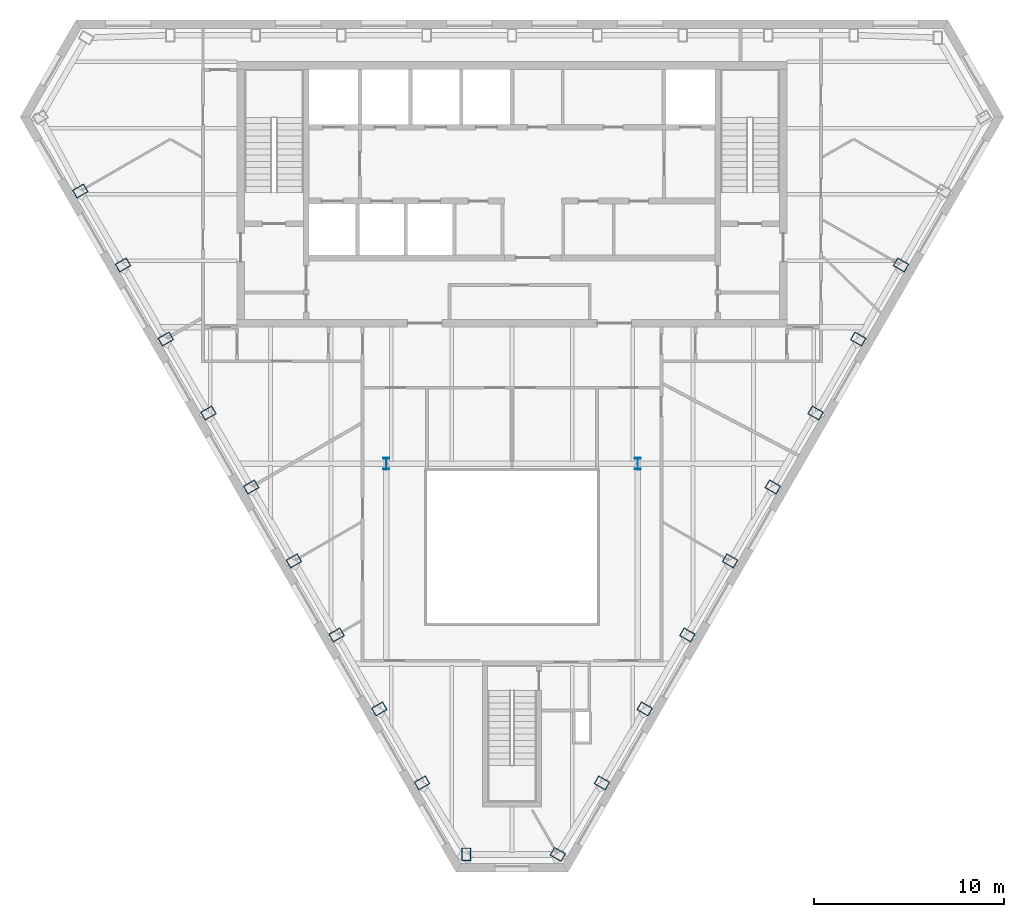
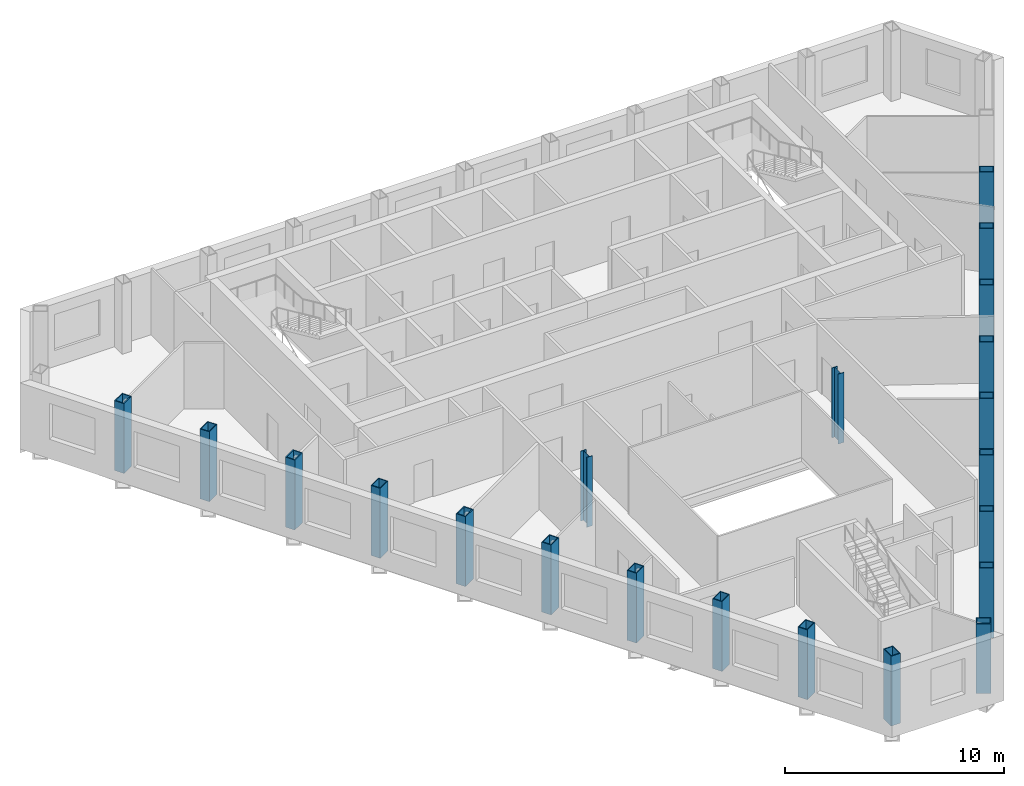
# One storey, part 1 of 10: 21 columns.
"""IFC4 building model written with IfcOpenShell, lengths in metres."""

from ifc_helpers import new_model, si_unit, direction, frame, origin, origin_2d, place, context, subcontext, project, spatial, hollow_rectangle, i_section, extrude, material, material_profile, profile_set, type_object, element, save


model = new_model("IFC4")

# Units and contexts
model_context = context("Model", 3, precision=1e-05, world=origin(), true_north=direction((0.0, 1.0)))
body_context = subcontext(model_context, "Body", "Model", "MODEL_VIEW")
ifc_project = project(units=[si_unit("LENGTHUNIT", "METRE"), si_unit("AREAUNIT", "SQUARE_METRE"), si_unit("VOLUMEUNIT", "CUBIC_METRE"), si_unit("PLANEANGLEUNIT", "RADIAN"), si_unit("MASSUNIT", "GRAM", prefix="KILO")], contexts=[model_context])

# Site, building, storey
site_placement = place(None, origin())
site = spatial("IfcSite", under=ifc_project, at=site_placement, CompositionType="ELEMENT")
building_placement = place(site_placement, origin())
building = spatial("IfcBuilding", under=site, at=building_placement, Name="Njiva Tower", CompositionType="ELEMENT")
storey_placement = place(building_placement, frame((0.0, 0.0, 257.1)))
storey = spatial("IfcBuildingStorey", under=building, at=storey_placement, Name="L58", CompositionType="ELEMENT", Elevation=257.1)

# Columns
ifc_material = material(Name="Steel S355 J2", Category="steel")
ifc_material_profile_1 = material_profile(ifc_material, hollow_rectangle(XDim=0.5, YDim=0.7, WallThickness=0.045, at=origin_2d()), Name="BOX 700x500x45")
ifc_profile_set_1 = profile_set([ifc_material_profile_1], Name="Steel S355 J2")
column_type_1 = type_object("IfcColumnType", Name="C13 Perimeter tube column BOX 700x500x45", PredefinedType="COLUMN", material=ifc_profile_set_1)
for number, where, z_axis, x_axis, name in (
    (1, (-22.773, 11.179, 0.0), (0.0, 0.0, 1.0), (0.5, -0.866025403784, 0.0), "Perimeter tube column S19-C13"),
    (2, (-20.52, 7.276, 0.0), (0.0, 0.0, 1.0), (0.5, -0.866025403784, 0.0), "Perimeter tube column S19-C14"),
    (3, (-18.266, 3.373, 0.0), (0.0, 0.0, 1.0), (0.5, -0.866025403784, 0.0), "Perimeter tube column S19-C15"),
    (4, (-16.013, -0.53, 0.0), (0.0, 0.0, 1.0), (0.5, -0.866025403784, 0.0), "Perimeter tube column S19-C16"),
    (5, (-13.76, -4.432, 0.0), (0.0, 0.0, 1.0), (0.5, -0.866025403784, 0.0), "Perimeter tube column S19-C17"),
    (6, (-11.506, -8.335, 0.0), (0.0, 0.0, 1.0), (0.5, -0.866025403784, 0.0), "Perimeter tube column S19-C18"),
    (7, (-9.253, -12.238, 0.0), (0.0, 0.0, 1.0), (0.5, -0.866025403784, 0.0), "Perimeter tube column S19-C19"),
    (8, (-7.0, -16.141, 0.0), (0.0, 0.0, 1.0), (0.5, -0.866025403784, 0.0), "Perimeter tube column S19-C20"),
    (9, (-4.746, -20.044, 0.0), (0.0, 0.0, 1.0), (0.5, -0.866025403784, 0.0), "Perimeter tube column S19-C21"),
    (10, (-2.416, -23.814, 0.0), (0.0, 0.0, 1.0), (1.0, 0.0, 0.0), "Perimeter tube column S19-C22"),
    (11, (2.416, -23.814, 0.0), (0.0, 0.0, 1.0), (0.5, 0.866025403784, 0.0), "Perimeter tube column S19-C23"),
    (12, (4.746, -20.044, 0.0), (0.0, 0.0, 1.0), (0.5, 0.866025403784, 0.0), "Perimeter tube column S19-C24"),
    (13, (7.0, -16.141, 0.0), (0.0, 0.0, 1.0), (0.5, 0.866025403784, 0.0), "Perimeter tube column S19-C25"),
    (14, (9.253, -12.238, 0.0), (0.0, 0.0, 1.0), (0.5, 0.866025403784, 0.0), "Perimeter tube column S19-C26"),
    (15, (11.506, -8.335, 0.0), (0.0, 0.0, 1.0), (0.5, 0.866025403784, 0.0), "Perimeter tube column S19-C27"),
    (16, (13.76, -4.432, 0.0), (0.0, 0.0, 1.0), (0.5, 0.866025403784, 0.0), "Perimeter tube column S19-C28"),
    (17, (16.013, -0.53, 0.0), (0.0, 0.0, 1.0), (0.5, 0.866025403784, 0.0), "Perimeter tube column S19-C29"),
    (18, (18.266, 3.373, 0.0), (0.0, 0.0, 1.0), (0.5, 0.866025403784, 0.0), "Perimeter tube column S19-C30"),
    (19, (20.52, 7.276, 0.0), (0.0, 0.0, 1.0), (0.5, 0.866025403784, 0.0), "Perimeter tube column S19-C31"),
):
    element("IfcColumn", number, at=place(storey_placement, frame(where, z_axis=z_axis, x_axis=x_axis)), inside=storey, type_object=column_type_1, Name=name, PredefinedType="COLUMN", context=body_context, shape_type="SweptSolid", body=[
        extrude(hollow_rectangle(XDim=0.5, YDim=0.7, WallThickness=0.045, at=origin_2d()), origin(), (0.0, 0.0, 1.0), 3.9),
    ])
ifc_material_profile_2 = material_profile(ifc_material, i_section(OverallWidth=0.3, OverallDepth=0.6, WebThickness=0.0155, FlangeThickness=0.03, at=origin_2d()), Name="HEB 600")
ifc_profile_set_2 = profile_set([ifc_material_profile_2], Name="Steel S355 J2")
column_type_2 = type_object("IfcColumnType", Name="C14 Interior column HEB 600", PredefinedType="COLUMN", material=ifc_profile_set_2)
for number, where, z_axis, x_axis, name in (
    (20, (6.63, -3.2, 0.0), (0.0, 0.0, 1.0), (1.0, 0.0, 0.0), "Interior column S19-C34"),
    (21, (-6.63, -3.2, 0.0), (0.0, 0.0, 1.0), (1.0, 0.0, 0.0), "Interior column S19-C35"),
):
    element("IfcColumn", number, at=place(storey_placement, frame(where, z_axis=z_axis, x_axis=x_axis)), inside=storey, type_object=column_type_2, Name=name, PredefinedType="COLUMN", context=body_context, shape_type="SweptSolid", body=[
        extrude(i_section(OverallWidth=0.3, OverallDepth=0.6, WebThickness=0.0155, FlangeThickness=0.03, at=origin_2d()), origin(), (0.0, 0.0, 1.0), 3.9),
    ])

save(model, "model.ifc")
